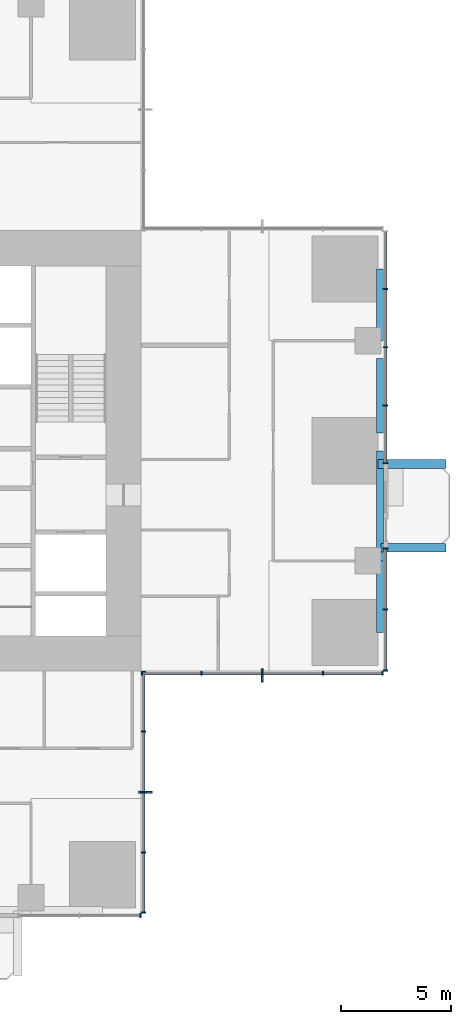
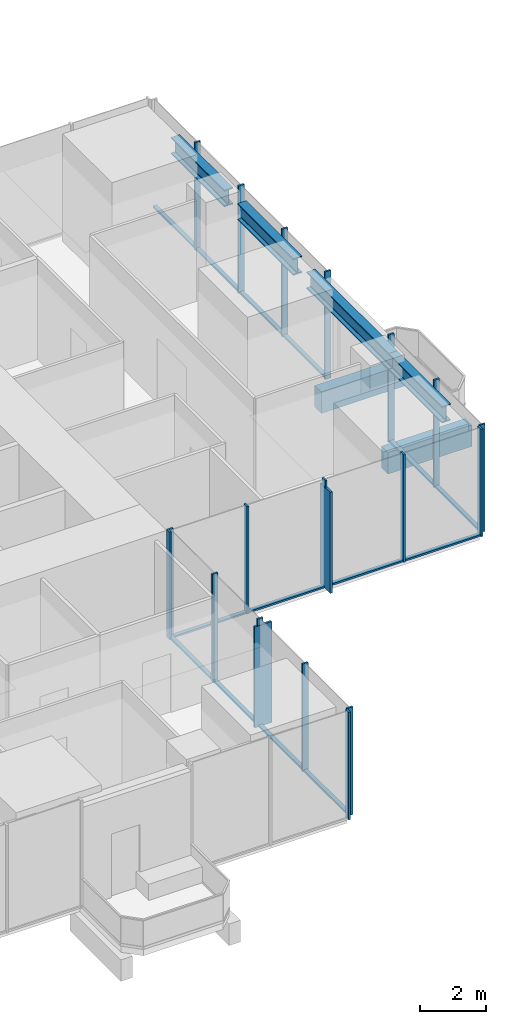
# One storey, part 4 of 13: 34 members, 6 beams, 5 elements without a shape of their own.
"""IFC4 building model written with IfcOpenShell, lengths in metres."""

from ifc_helpers import new_model, si_unit, direction, frame, origin, origin_2d, place, context, subcontext, project, spatial, rectangle, i_section, extrude, material, material_profile, profile_set, type_object, element, aggregate, save


model = new_model("IFC4")

# Units and contexts
model_context = context("Model", 3, precision=1e-05, world=origin(), true_north=direction((0.0, 1.0)))
body_context = subcontext(model_context, "Body", "Model", "MODEL_VIEW")
ifc_project = project(units=[si_unit("LENGTHUNIT", "METRE"), si_unit("AREAUNIT", "SQUARE_METRE"), si_unit("VOLUMEUNIT", "CUBIC_METRE"), si_unit("PLANEANGLEUNIT", "RADIAN"), si_unit("MASSUNIT", "GRAM", prefix="KILO")], contexts=[model_context])

# Site, building, storey
site_placement = place(None, origin())
site = spatial("IfcSite", under=ifc_project, at=site_placement, CompositionType="ELEMENT")
building_placement = place(site_placement, origin())
building = spatial("IfcBuilding", under=site, at=building_placement, Name="Svetlomir Tower", CompositionType="ELEMENT")
storey_placement = place(building_placement, frame((0.0, 0.0, 120.5)))
storey = spatial("IfcBuildingStorey", under=building, at=storey_placement, Name="L28", CompositionType="ELEMENT", Elevation=120.5)

# Beams
ifc_material_1 = material(Name="Concrete C60/75", Category="concrete")
ifc_material_profile_1 = material_profile(ifc_material_1, rectangle(XDim=0.39990234375, YDim=0.800048828125, at=origin_2d()), Name="RC 400x800")
ifc_profile_set_1 = profile_set([ifc_material_profile_1], Name="Concrete C60/75")
beam_type_1 = type_object("IfcBeamType", Name="BALCONY RIB RC 400x800", PredefinedType="BEAM", material=ifc_profile_set_1)
beam_1_placement = place(storey_placement, frame((41.89990234375, 16.60009765625, -0.64990234375), z_axis=(1.0, 0.0, 0.0), x_axis=(0.0, 1.0, 0.0)))
element("IfcBeam", 1, at=beam_1_placement, inside=storey, type_object=beam_type_1, Name="Balcony rib E 1 L28", PredefinedType="BEAM", context=body_context, shape_type="SweptSolid", body=[
    extrude(rectangle(XDim=0.39990234375, YDim=0.800048828125, at=origin_2d()), origin(), (0.0, 0.0, 1.0), 2.9501953125),
])
beam_2_placement = place(storey_placement, frame((41.75, 20.39990234375, -0.64990234375), z_axis=(1.0, 0.0, 0.0), x_axis=(0.0, 1.0, 0.0)))
element("IfcBeam", 2, at=beam_2_placement, inside=storey, type_object=beam_type_1, Name="Balcony rib E 2 L28", PredefinedType="BEAM", context=body_context, shape_type="SweptSolid", body=[
    extrude(rectangle(XDim=0.39990234375, YDim=0.800048828125, at=origin_2d()), origin(), (0.0, 0.0, 1.0), 3.10009765625),
])

# Curtain wall, member
ifc_material_2 = material(Name="Bronze anodised aluminium curtain wall", Category="aluminium")
curtain_wall_type = type_object("IfcCurtainWallType", Name="CURTAIN WALL CW1 TOWER OFFICE", PredefinedType="NOTDEFINED", material=ifc_material_2)
curtain_wall_1_placement = place(storey_placement, origin())
curtain_wall_1 = element("IfcCurtainWall", 3, at=curtain_wall_1_placement, inside=storey, type_object=curtain_wall_type, Name="Curtain wall CW1 L28", PredefinedType="NOTDEFINED")
ifc_material_3 = material(Name="Bronze anodised aluminium", Category="aluminium")
ifc_material_profile_2 = material_profile(ifc_material_3, rectangle(XDim=0.080078125, YDim=0.60009765625, at=origin_2d()), Name="FIN 80x600")
ifc_profile_set_2 = profile_set([ifc_material_profile_2], Name="Bronze anodised aluminium 6063-T6")
member_type_1 = type_object("IfcMemberType", Name="BRONZE FIN 80x600", PredefinedType="USERDEFINED", material=ifc_profile_set_2)
member_1_placement = place(storey_placement, frame((31.199951171875, 5.5, 0.0), z_axis=(0.0, 0.0, 1.0), x_axis=(0.0, 1.0, 0.0)))
member_1 = element("IfcMember", 4, at=member_1_placement, type_object=member_type_1, Name="Bronze fin L28", ObjectType="FIN", PredefinedType="USERDEFINED", context=body_context, shape_type="SweptSolid", body=[
    extrude(rectangle(XDim=0.080078125, YDim=0.60009765625, at=origin_2d()), origin(), (0.0, 0.0, 1.0), 3.75),
])

curtain_wall_2_placement = place(storey_placement, origin())
curtain_wall_2 = element("IfcCurtainWall", 5, at=curtain_wall_2_placement, inside=storey, type_object=curtain_wall_type, Name="Curtain wall CW1 L28", PredefinedType="NOTDEFINED")
member_2_placement = place(storey_placement, frame((36.5, 10.800048828125, 0.0), z_axis=(0.0, 0.0, 1.0), x_axis=(1.0, 0.0, 0.0)))
member_2 = element("IfcMember", 6, at=member_2_placement, type_object=member_type_1, Name="Bronze fin L28", ObjectType="FIN", PredefinedType="USERDEFINED", context=body_context, shape_type="SweptSolid", body=[
    extrude(rectangle(XDim=0.080078125, YDim=0.60009765625, at=origin_2d()), origin(), (0.0, 0.0, 1.0), 3.75),
])

curtain_wall_3_placement = place(storey_placement, origin())
curtain_wall_3 = element("IfcCurtainWall", 7, at=curtain_wall_3_placement, inside=storey, type_object=curtain_wall_type, Name="Curtain wall CW1 L28", PredefinedType="NOTDEFINED")
ifc_material_4 = material(Name="Bronze anodised aluminium", Category="aluminium")
ifc_material_profile_3 = material_profile(ifc_material_4, rectangle(XDim=0.06494140625, YDim=0.199951171875, at=origin_2d()), Name="AL 65x200")
ifc_profile_set_3 = profile_set([ifc_material_profile_3], Name="Bronze anodised aluminium 6063-T6")
member_type_2 = type_object("IfcMemberType", Name="CW1 MULLION 65x200", PredefinedType="MULLION", material=ifc_profile_set_3)
member_3_placement = place(storey_placement, frame((30.967529296875, -0.10009765625, 0.0), z_axis=(0.0, 0.0, 1.0), x_axis=(1.0, 0.0, 0.0)))
member_3 = element("IfcMember", 8, at=member_3_placement, type_object=member_type_2, Name="CW1 mullion 3", PredefinedType="MULLION", context=body_context, shape_type="SweptSolid", body=[
    extrude(rectangle(XDim=0.06494140625, YDim=0.199951171875, at=origin_2d()), origin(), (0.0, 0.0, 1.0), 4.0),
])
aggregate(curtain_wall_3, [member_3])

# Member
member_4_placement = place(storey_placement, frame((31.10009765625, 0.032470703125, 0.0), z_axis=(0.0, 0.0, 1.0), x_axis=(0.0, 1.0, 0.0)))
member_4 = element("IfcMember", 9, at=member_4_placement, type_object=member_type_2, Name="CW1 mullion 1", PredefinedType="MULLION", context=body_context, shape_type="SweptSolid", body=[
    extrude(rectangle(XDim=0.06494140625, YDim=0.199951171875, at=origin_2d()), origin(), (0.0, 0.0, 1.0), 4.0),
])

member_5_placement = place(storey_placement, frame((31.10009765625, 2.75, 0.0), z_axis=(0.0, 0.0, 1.0), x_axis=(0.0, 1.0, 0.0)))
member_5 = element("IfcMember", 10, at=member_5_placement, type_object=member_type_2, Name="CW1 mullion 2", PredefinedType="MULLION", context=body_context, shape_type="SweptSolid", body=[
    extrude(rectangle(XDim=0.06494140625, YDim=0.199951171875, at=origin_2d()), origin(), (0.0, 0.0, 1.0), 4.0),
])

member_6_placement = place(storey_placement, frame((31.10009765625, 5.5, 0.0), z_axis=(0.0, 0.0, 1.0), x_axis=(0.0, 1.0, 0.0)))
member_6 = element("IfcMember", 11, at=member_6_placement, type_object=member_type_2, Name="CW1 mullion 3", PredefinedType="MULLION", context=body_context, shape_type="SweptSolid", body=[
    extrude(rectangle(XDim=0.06494140625, YDim=0.199951171875, at=origin_2d()), origin(), (0.0, 0.0, 1.0), 4.0),
])

member_7_placement = place(storey_placement, frame((31.10009765625, 8.25, 0.0), z_axis=(0.0, 0.0, 1.0), x_axis=(0.0, 1.0, 0.0)))
member_7 = element("IfcMember", 12, at=member_7_placement, type_object=member_type_2, Name="CW1 mullion 4", PredefinedType="MULLION", context=body_context, shape_type="SweptSolid", body=[
    extrude(rectangle(XDim=0.06494140625, YDim=0.199951171875, at=origin_2d()), origin(), (0.0, 0.0, 1.0), 4.0),
])

member_8_placement = place(storey_placement, frame((31.10009765625, 10.967529296875, 0.0), z_axis=(0.0, 0.0, 1.0), x_axis=(0.0, 1.0, 0.0)))
member_8 = element("IfcMember", 13, at=member_8_placement, type_object=member_type_2, Name="CW1 mullion 5", PredefinedType="MULLION", context=body_context, shape_type="SweptSolid", body=[
    extrude(rectangle(XDim=0.06494140625, YDim=0.199951171875, at=origin_2d()), origin(), (0.0, 0.0, 1.0), 4.0),
])

member_9_placement = place(storey_placement, frame((31.032470703125, 10.89990234375, 0.0), z_axis=(0.0, 0.0, 1.0), x_axis=(1.0, 0.0, 0.0)))
member_9 = element("IfcMember", 14, at=member_9_placement, type_object=member_type_2, Name="CW1 mullion 1", PredefinedType="MULLION", context=body_context, shape_type="SweptSolid", body=[
    extrude(rectangle(XDim=0.06494140625, YDim=0.199951171875, at=origin_2d()), origin(), (0.0, 0.0, 1.0), 4.0),
])

member_10_placement = place(storey_placement, frame((33.75, 10.89990234375, 0.0), z_axis=(0.0, 0.0, 1.0), x_axis=(1.0, 0.0, 0.0)))
member_10 = element("IfcMember", 15, at=member_10_placement, type_object=member_type_2, Name="CW1 mullion 2", PredefinedType="MULLION", context=body_context, shape_type="SweptSolid", body=[
    extrude(rectangle(XDim=0.06494140625, YDim=0.199951171875, at=origin_2d()), origin(), (0.0, 0.0, 1.0), 4.0),
])

member_11_placement = place(storey_placement, frame((36.5, 10.89990234375, 0.0), z_axis=(0.0, 0.0, 1.0), x_axis=(1.0, 0.0, 0.0)))
member_11 = element("IfcMember", 16, at=member_11_placement, type_object=member_type_2, Name="CW1 mullion 3", PredefinedType="MULLION", context=body_context, shape_type="SweptSolid", body=[
    extrude(rectangle(XDim=0.06494140625, YDim=0.199951171875, at=origin_2d()), origin(), (0.0, 0.0, 1.0), 4.0),
])

member_12_placement = place(storey_placement, frame((39.25, 10.89990234375, 0.0), z_axis=(0.0, 0.0, 1.0), x_axis=(1.0, 0.0, 0.0)))
member_12 = element("IfcMember", 17, at=member_12_placement, type_object=member_type_2, Name="CW1 mullion 4", PredefinedType="MULLION", context=body_context, shape_type="SweptSolid", body=[
    extrude(rectangle(XDim=0.06494140625, YDim=0.199951171875, at=origin_2d()), origin(), (0.0, 0.0, 1.0), 4.0),
])

member_13_placement = place(storey_placement, frame((41.967529296875, 10.89990234375, 0.0), z_axis=(0.0, 0.0, 1.0), x_axis=(1.0, 0.0, 0.0)))
member_13 = element("IfcMember", 18, at=member_13_placement, type_object=member_type_2, Name="CW1 mullion 5", PredefinedType="MULLION", context=body_context, shape_type="SweptSolid", body=[
    extrude(rectangle(XDim=0.06494140625, YDim=0.199951171875, at=origin_2d()), origin(), (0.0, 0.0, 1.0), 4.0),
])

# Curtain wall, members
curtain_wall_4_placement = place(storey_placement, origin())
curtain_wall_4 = element("IfcCurtainWall", 19, at=curtain_wall_4_placement, inside=storey, type_object=curtain_wall_type, Name="Curtain wall CW1 L28", PredefinedType="NOTDEFINED")
member_14_placement = place(storey_placement, frame((42.10009765625, 11.032470703125, 0.0), z_axis=(0.0, 0.0, 1.0), x_axis=(0.0, 1.0, 0.0)))
member_14 = element("IfcMember", 20, at=member_14_placement, type_object=member_type_2, Name="CW1 mullion 1", PredefinedType="MULLION", context=body_context, shape_type="SweptSolid", body=[
    extrude(rectangle(XDim=0.06494140625, YDim=0.199951171875, at=origin_2d()), origin(), (0.0, 0.0, 1.0), 4.0),
])
member_15_placement = place(storey_placement, frame((42.10009765625, 13.800048828125, 0.0), z_axis=(0.0, 0.0, 1.0), x_axis=(0.0, 1.0, 0.0)))
member_15 = element("IfcMember", 21, at=member_15_placement, type_object=member_type_2, Name="CW1 mullion 2", PredefinedType="MULLION", context=body_context, shape_type="SweptSolid", body=[
    extrude(rectangle(XDim=0.06494140625, YDim=0.199951171875, at=origin_2d()), origin(), (0.0, 0.0, 1.0), 4.0),
])
member_16_placement = place(storey_placement, frame((42.10009765625, 16.5673828125, 0.0), z_axis=(0.0, 0.0, 1.0), x_axis=(0.0, 1.0, 0.0)))
member_16 = element("IfcMember", 22, at=member_16_placement, type_object=member_type_2, Name="CW1 mullion 3", PredefinedType="MULLION", context=body_context, shape_type="SweptSolid", body=[
    extrude(rectangle(XDim=0.06494140625, YDim=0.199951171875, at=origin_2d()), origin(), (0.0, 0.0, 1.0), 4.0),
])

curtain_wall_5_placement = place(storey_placement, origin())
curtain_wall_5 = element("IfcCurtainWall", 23, at=curtain_wall_5_placement, inside=storey, type_object=curtain_wall_type, Name="Curtain wall CW1 L28", PredefinedType="NOTDEFINED")
member_17_placement = place(storey_placement, frame((42.10009765625, 20.4326171875, 0.0), z_axis=(0.0, 0.0, 1.0), x_axis=(0.0, 1.0, 0.0)))
member_17 = element("IfcMember", 24, at=member_17_placement, type_object=member_type_2, Name="CW1 mullion 1", PredefinedType="MULLION", context=body_context, shape_type="SweptSolid", body=[
    extrude(rectangle(XDim=0.06494140625, YDim=0.199951171875, at=origin_2d()), origin(), (0.0, 0.0, 1.0), 4.0),
])
member_18_placement = place(storey_placement, frame((42.10009765625, 23.050048828125, 0.0), z_axis=(0.0, 0.0, 1.0), x_axis=(0.0, 1.0, 0.0)))
member_18 = element("IfcMember", 25, at=member_18_placement, type_object=member_type_2, Name="CW1 mullion 2", PredefinedType="MULLION", context=body_context, shape_type="SweptSolid", body=[
    extrude(rectangle(XDim=0.06494140625, YDim=0.199951171875, at=origin_2d()), origin(), (0.0, 0.0, 1.0), 4.0),
])
member_19_placement = place(storey_placement, frame((42.10009765625, 25.699951171875, 0.0), z_axis=(0.0, 0.0, 1.0), x_axis=(0.0, 1.0, 0.0)))
member_19 = element("IfcMember", 26, at=member_19_placement, type_object=member_type_2, Name="CW1 mullion 3", PredefinedType="MULLION", context=body_context, shape_type="SweptSolid", body=[
    extrude(rectangle(XDim=0.06494140625, YDim=0.199951171875, at=origin_2d()), origin(), (0.0, 0.0, 1.0), 4.0),
])
member_20_placement = place(storey_placement, frame((42.10009765625, 28.35009765625, 0.0), z_axis=(0.0, 0.0, 1.0), x_axis=(0.0, 1.0, 0.0)))
member_20 = element("IfcMember", 27, at=member_20_placement, type_object=member_type_2, Name="CW1 mullion 4", PredefinedType="MULLION", context=body_context, shape_type="SweptSolid", body=[
    extrude(rectangle(XDim=0.06494140625, YDim=0.199951171875, at=origin_2d()), origin(), (0.0, 0.0, 1.0), 4.0),
])

# Member
ifc_material_5 = material(Name="Bronze anodised aluminium", Category="aluminium")
ifc_material_profile_4 = material_profile(ifc_material_5, rectangle(XDim=0.139892578125, YDim=0.06494140625, at=origin_2d()), Name="AL 140x65")
ifc_profile_set_4 = profile_set([ifc_material_profile_4], Name="Bronze anodised aluminium 6063-T6")
member_type_3 = type_object("IfcMemberType", Name="CW1 TRANSOM 65x140", PredefinedType="USERDEFINED", material=ifc_profile_set_4)
member_21_placement = place(storey_placement, frame((31.10009765625, 0.06494140625, 0.032470703125), z_axis=(0.0, 1.0, 0.0), x_axis=(-1.0, 0.0, 0.0)))
member_21 = element("IfcMember", 28, at=member_21_placement, type_object=member_type_3, Name="CW1 transom 1.1", ObjectType="TRANSOM", PredefinedType="USERDEFINED", context=body_context, shape_type="SweptSolid", body=[
    extrude(rectangle(XDim=0.139892578125, YDim=0.06494140625, at=origin_2d()), origin(), (0.0, 0.0, 1.0), 2.652587890625),
])

member_22_placement = place(storey_placement, frame((31.10009765625, 2.782470703125, 0.032470703125), z_axis=(0.0, 1.0, 0.0), x_axis=(-1.0, 0.0, 0.0)))
member_22 = element("IfcMember", 29, at=member_22_placement, type_object=member_type_3, Name="CW1 transom 2.1", ObjectType="TRANSOM", PredefinedType="USERDEFINED", context=body_context, shape_type="SweptSolid", body=[
    extrude(rectangle(XDim=0.139892578125, YDim=0.06494140625, at=origin_2d()), origin(), (0.0, 0.0, 1.0), 2.68505859375),
])

member_23_placement = place(storey_placement, frame((31.10009765625, 5.532470703125, 0.032470703125), z_axis=(0.0, 1.0, 0.0), x_axis=(-1.0, 0.0, 0.0)))
member_23 = element("IfcMember", 30, at=member_23_placement, type_object=member_type_3, Name="CW1 transom 3.1", ObjectType="TRANSOM", PredefinedType="USERDEFINED", context=body_context, shape_type="SweptSolid", body=[
    extrude(rectangle(XDim=0.139892578125, YDim=0.06494140625, at=origin_2d()), origin(), (0.0, 0.0, 1.0), 2.68505859375),
])

member_24_placement = place(storey_placement, frame((31.10009765625, 8.282470703125, 0.032470703125), z_axis=(0.0, 1.0, 0.0), x_axis=(-1.0, 0.0, 0.0)))
member_24 = element("IfcMember", 31, at=member_24_placement, type_object=member_type_3, Name="CW1 transom 4.1", ObjectType="TRANSOM", PredefinedType="USERDEFINED", context=body_context, shape_type="SweptSolid", body=[
    extrude(rectangle(XDim=0.139892578125, YDim=0.06494140625, at=origin_2d()), origin(), (0.0, 0.0, 1.0), 2.652587890625),
])

aggregate(curtain_wall_1, [member_4, member_5, member_6, member_7, member_8, member_21, member_22, member_23, member_24, member_1])

member_25_placement = place(storey_placement, frame((31.06494140625, 10.89990234375, 0.032470703125), z_axis=(1.0, 0.0, 0.0), x_axis=(0.0, 1.0, 0.0)))
member_25 = element("IfcMember", 32, at=member_25_placement, type_object=member_type_3, Name="CW1 transom 1.1", ObjectType="TRANSOM", PredefinedType="USERDEFINED", context=body_context, shape_type="SweptSolid", body=[
    extrude(rectangle(XDim=0.139892578125, YDim=0.06494140625, at=origin_2d()), origin(), (0.0, 0.0, 1.0), 2.652587890625),
])

member_26_placement = place(storey_placement, frame((33.782470703125, 10.89990234375, 0.032470703125), z_axis=(1.0, 0.0, 0.0), x_axis=(0.0, 1.0, 0.0)))
member_26 = element("IfcMember", 33, at=member_26_placement, type_object=member_type_3, Name="CW1 transom 2.1", ObjectType="TRANSOM", PredefinedType="USERDEFINED", context=body_context, shape_type="SweptSolid", body=[
    extrude(rectangle(XDim=0.139892578125, YDim=0.06494140625, at=origin_2d()), origin(), (0.0, 0.0, 1.0), 2.68505859375),
])

member_27_placement = place(storey_placement, frame((36.532470703125, 10.89990234375, 0.032470703125), z_axis=(1.0, 0.0, 0.0), x_axis=(0.0, 1.0, 0.0)))
member_27 = element("IfcMember", 34, at=member_27_placement, type_object=member_type_3, Name="CW1 transom 3.1", ObjectType="TRANSOM", PredefinedType="USERDEFINED", context=body_context, shape_type="SweptSolid", body=[
    extrude(rectangle(XDim=0.139892578125, YDim=0.06494140625, at=origin_2d()), origin(), (0.0, 0.0, 1.0), 2.68505859375),
])

member_28_placement = place(storey_placement, frame((39.282470703125, 10.89990234375, 0.032470703125), z_axis=(1.0, 0.0, 0.0), x_axis=(0.0, 1.0, 0.0)))
member_28 = element("IfcMember", 35, at=member_28_placement, type_object=member_type_3, Name="CW1 transom 4.1", ObjectType="TRANSOM", PredefinedType="USERDEFINED", context=body_context, shape_type="SweptSolid", body=[
    extrude(rectangle(XDim=0.139892578125, YDim=0.06494140625, at=origin_2d()), origin(), (0.0, 0.0, 1.0), 2.652587890625),
])

aggregate(curtain_wall_2, [member_9, member_10, member_11, member_12, member_13, member_25, member_26, member_27, member_28, member_2])

member_29_placement = place(storey_placement, frame((42.10009765625, 11.06494140625, 0.032470703125), z_axis=(0.0, 1.0, 0.0), x_axis=(-1.0, 0.0, 0.0)))
member_29 = element("IfcMember", 36, at=member_29_placement, type_object=member_type_3, Name="CW1 transom 1.1", ObjectType="TRANSOM", PredefinedType="USERDEFINED", context=body_context, shape_type="SweptSolid", body=[
    extrude(rectangle(XDim=0.139892578125, YDim=0.06494140625, at=origin_2d()), origin(), (0.0, 0.0, 1.0), 2.70263671875),
])

member_30_placement = place(storey_placement, frame((42.10009765625, 13.83251953125, 0.032470703125), z_axis=(0.0, 1.0, 0.0), x_axis=(-1.0, 0.0, 0.0)))
member_30 = element("IfcMember", 37, at=member_30_placement, type_object=member_type_3, Name="CW1 transom 2.1", ObjectType="TRANSOM", PredefinedType="USERDEFINED", context=body_context, shape_type="SweptSolid", body=[
    extrude(rectangle(XDim=0.139892578125, YDim=0.06494140625, at=origin_2d()), origin(), (0.0, 0.0, 1.0), 2.702392578125),
])

aggregate(curtain_wall_4, [member_14, member_15, member_16, member_29, member_30])

member_31_placement = place(storey_placement, frame((42.10009765625, 20.465087890625, 0.032470703125), z_axis=(0.0, 1.0, 0.0), x_axis=(-1.0, 0.0, 0.0)))
member_31 = element("IfcMember", 38, at=member_31_placement, type_object=member_type_3, Name="CW1 transom 1.1", ObjectType="TRANSOM", PredefinedType="USERDEFINED", context=body_context, shape_type="SweptSolid", body=[
    extrude(rectangle(XDim=0.139892578125, YDim=0.06494140625, at=origin_2d()), origin(), (0.0, 0.0, 1.0), 2.552490234375),
])

member_32_placement = place(storey_placement, frame((42.10009765625, 23.08251953125, 0.032470703125), z_axis=(0.0, 1.0, 0.0), x_axis=(-1.0, 0.0, 0.0)))
member_32 = element("IfcMember", 39, at=member_32_placement, type_object=member_type_3, Name="CW1 transom 2.1", ObjectType="TRANSOM", PredefinedType="USERDEFINED", context=body_context, shape_type="SweptSolid", body=[
    extrude(rectangle(XDim=0.139892578125, YDim=0.06494140625, at=origin_2d()), origin(), (0.0, 0.0, 1.0), 2.5849609375),
])

member_33_placement = place(storey_placement, frame((42.10009765625, 25.732421875, 0.032470703125), z_axis=(0.0, 1.0, 0.0), x_axis=(-1.0, 0.0, 0.0)))
member_33 = element("IfcMember", 40, at=member_33_placement, type_object=member_type_3, Name="CW1 transom 3.1", ObjectType="TRANSOM", PredefinedType="USERDEFINED", context=body_context, shape_type="SweptSolid", body=[
    extrude(rectangle(XDim=0.139892578125, YDim=0.06494140625, at=origin_2d()), origin(), (0.0, 0.0, 1.0), 2.5849609375),
])

member_34_placement = place(storey_placement, frame((42.10009765625, 28.382568359375, 0.032470703125), z_axis=(0.0, 1.0, 0.0), x_axis=(-1.0, 0.0, 0.0)))
member_34 = element("IfcMember", 41, at=member_34_placement, type_object=member_type_3, Name="CW1 transom 4.1", ObjectType="TRANSOM", PredefinedType="USERDEFINED", context=body_context, shape_type="SweptSolid", body=[
    extrude(rectangle(XDim=0.139892578125, YDim=0.06494140625, at=origin_2d()), origin(), (0.0, 0.0, 1.0), 2.552490234375),
])

aggregate(curtain_wall_5, [member_17, member_18, member_19, member_20, member_31, member_32, member_33, member_34])

# Beams
ifc_material_6 = material(Name="Steel S355", Category="steel")
ifc_material_profile_5 = material_profile(ifc_material_6, i_section(OverallWidth=0.304931640625, OverallDepth=0.6201171875, WebThickness=0.02099609375, FlangeThickness=0.0400390625, FilletRadius=0.027099609375, at=origin_2d()), Name="HEM 600")
ifc_profile_set_5 = profile_set([ifc_material_profile_5], Name="Steel S355")
beam_type_2 = type_object("IfcBeamType", Name="EDGE BEAM HEM 600", PredefinedType="SPANDREL", material=ifc_profile_set_5)
beam_3_placement = place(storey_placement, frame((41.847412109375, 12.75, 3.43994140625), z_axis=(0.0, 1.0, 0.0), x_axis=(-1.0, 0.0, 0.0)))
element("IfcBeam", 42, at=beam_3_placement, inside=storey, type_object=beam_type_2, Name="Edge beam 42/11 to 42/16 under L29", PredefinedType="SPANDREL", context=body_context, shape_type="SweptSolid", body=[
    extrude(i_section(OverallWidth=0.304931640625, OverallDepth=0.6201171875, WebThickness=0.02099609375, FlangeThickness=0.0400390625, FilletRadius=0.027099609375, at=origin_2d()), origin(), (0.0, 0.0, 1.0), 3.25),
])
beam_4_placement = place(storey_placement, frame((41.847412109375, 16.0, 3.43994140625), z_axis=(0.0, 1.0, 0.0), x_axis=(-1.0, 0.0, 0.0)))
element("IfcBeam", 43, at=beam_4_placement, inside=storey, type_object=beam_type_2, Name="Edge beam 42/16 to 42/21 under L29", PredefinedType="SPANDREL", context=body_context, shape_type="SweptSolid", body=[
    extrude(i_section(OverallWidth=0.304931640625, OverallDepth=0.6201171875, WebThickness=0.02099609375, FlangeThickness=0.0400390625, FilletRadius=0.027099609375, at=origin_2d()), origin(), (0.0, 0.0, 1.0), 5.0),
])
beam_5_placement = place(storey_placement, frame((41.847412109375, 21.800048828125, 3.43994140625), z_axis=(0.0, 1.0, 0.0), x_axis=(-1.0, 0.0, 0.0)))
element("IfcBeam", 44, at=beam_5_placement, inside=storey, type_object=beam_type_2, Name="Edge beam 42/21 to 42/26 under L29", PredefinedType="SPANDREL", context=body_context, shape_type="SweptSolid", body=[
    extrude(i_section(OverallWidth=0.304931640625, OverallDepth=0.6201171875, WebThickness=0.02099609375, FlangeThickness=0.0400390625, FilletRadius=0.027099609375, at=origin_2d()), origin(), (0.0, 0.0, 1.0), 3.39990234375),
])
beam_6_placement = place(storey_placement, frame((41.847412109375, 26.0, 3.43994140625), z_axis=(0.0, 1.0, 0.0), x_axis=(-1.0, 0.0, 0.0)))
element("IfcBeam", 45, at=beam_6_placement, inside=storey, type_object=beam_type_2, Name="Edge beam 42/26 to 42/31 under L29", PredefinedType="SPANDREL", context=body_context, shape_type="SweptSolid", body=[
    extrude(i_section(OverallWidth=0.304931640625, OverallDepth=0.6201171875, WebThickness=0.02099609375, FlangeThickness=0.0400390625, FilletRadius=0.027099609375, at=origin_2d()), origin(), (0.0, 0.0, 1.0), 3.25),
])

save(model, "model.ifc")
